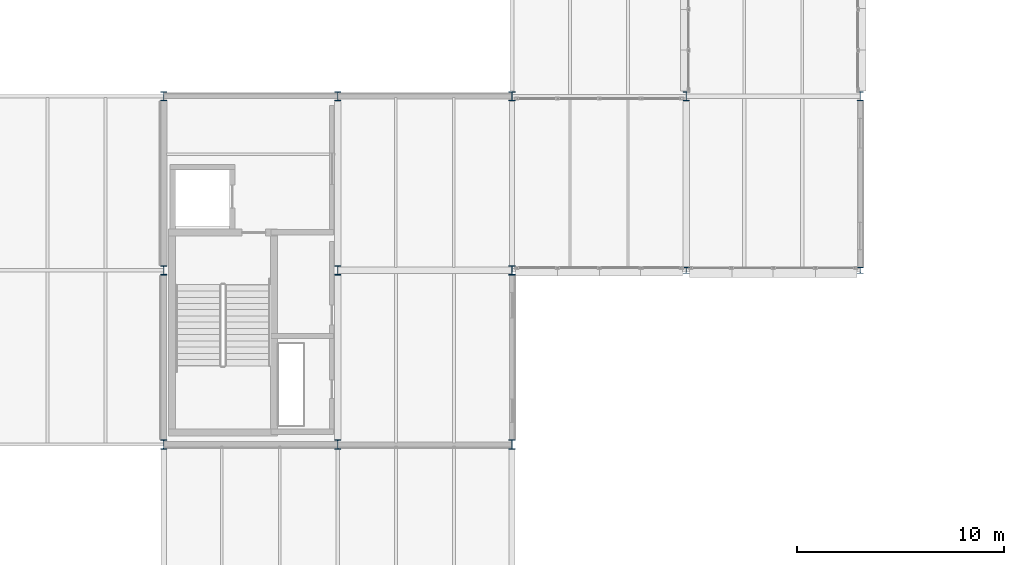
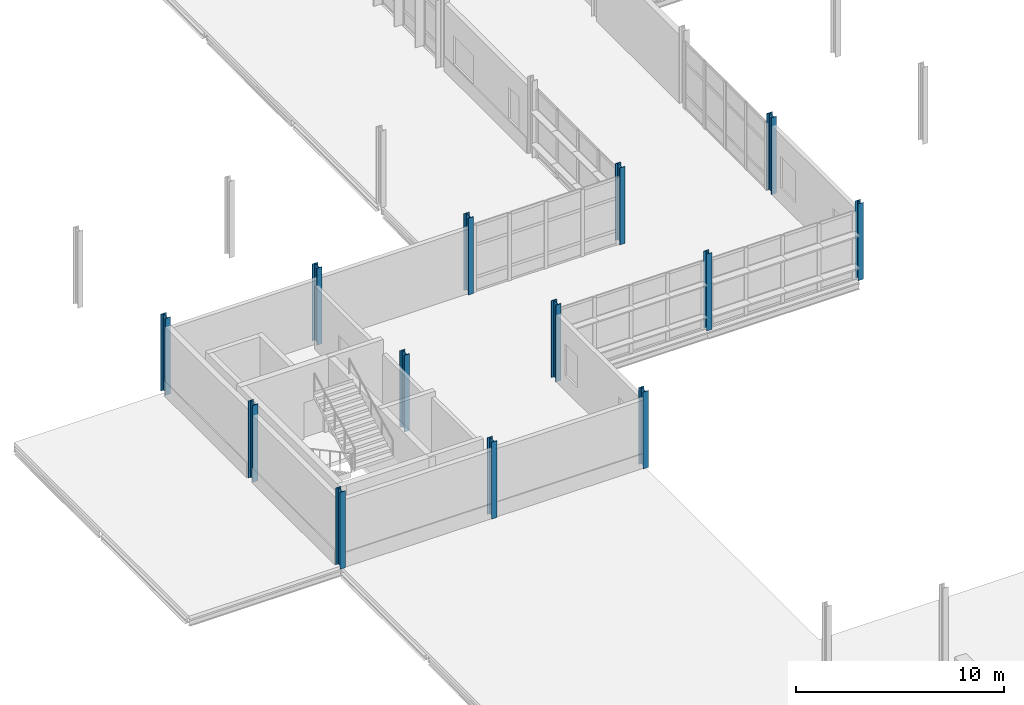
# One storey, part 8 of 129: 13 columns.
"""IFC4 building model written with IfcOpenShell, lengths in metres."""

from ifc_helpers import new_model, si_unit, direction, frame, origin, origin_2d, place, context, subcontext, project, spatial, i_section, extrude, material, material_profile, profile_set, type_object, element, save


model = new_model("IFC4")

# Units and contexts
model_context = context("Model", 3, precision=1e-05, world=origin(), true_north=direction((0.0, 1.0)))
body_context = subcontext(model_context, "Body", "Model", "MODEL_VIEW")
ifc_project = project(units=[si_unit("LENGTHUNIT", "METRE"), si_unit("AREAUNIT", "SQUARE_METRE"), si_unit("VOLUMEUNIT", "CUBIC_METRE"), si_unit("PLANEANGLEUNIT", "RADIAN"), si_unit("MASSUNIT", "GRAM", prefix="KILO")], contexts=[model_context])

# Site, building, storey
site_placement = place(None, origin())
site = spatial("IfcSite", under=ifc_project, at=site_placement, CompositionType="ELEMENT")
building_placement = place(site_placement, origin())
building = spatial("IfcBuilding", under=site, at=building_placement, Name="Mersafa Astral City Hall", CompositionType="ELEMENT")
storey_placement = place(building_placement, frame((0.0, 0.0, 5.39990234375)))
storey = spatial("IfcBuildingStorey", under=building, at=storey_placement, Name="L01", CompositionType="ELEMENT", Elevation=5.39990234375)

# Columns
ifc_material = material(Name="Steel S355", Category="steel")
ifc_material_profile_1 = material_profile(ifc_material, i_section(OverallWidth=0.300048828125, OverallDepth=0.300048828125, WebThickness=0.010986328125, FlangeThickness=0.01904296875, FilletRadius=0.027099609375, at=origin_2d()), Name="HEB 300")
ifc_profile_set_1 = profile_set([ifc_material_profile_1], Name="Steel S355")
column_type_1 = type_object("IfcColumnType", Name="STR-COL-HEB300", PredefinedType="COLUMN", material=ifc_profile_set_1)
for number, where, z_axis, x_axis, name in (
    (1, (33.60009765625, 84.0, 0.0), (0.0, 0.0, 1.0), (1.0, 0.0, 0.0), "L01 Structural column G-04-10"),
    (2, (42.0, 84.0, 0.0), (0.0, 0.0, 1.0), (1.0, 0.0, 0.0), "L01 Structural column G-05-10"),
):
    element("IfcColumn", number, at=place(storey_placement, frame(where, z_axis=z_axis, x_axis=x_axis)), inside=storey, type_object=column_type_1, Name=name, PredefinedType="COLUMN", context=body_context, shape_type="SweptSolid", body=[
        extrude(i_section(OverallWidth=0.300048828125, OverallDepth=0.300048828125, WebThickness=0.010986328125, FlangeThickness=0.01904296875, FilletRadius=0.027099609375, at=origin_2d()), origin(), (0.0, 0.0, 1.0), 4.5),
    ])
ifc_material_profile_2 = material_profile(ifc_material, i_section(OverallWidth=0.300048828125, OverallDepth=0.449951171875, WebThickness=0.013916015625, FlangeThickness=0.02587890625, FilletRadius=0.027099609375, at=origin_2d()), Name="HEB 450")
ifc_profile_set_2 = profile_set([ifc_material_profile_2], Name="Steel S355")
column_type_2 = type_object("IfcColumnType", Name="STR-COL-HEB450", PredefinedType="COLUMN", material=ifc_profile_set_2)
for number, where, z_axis, x_axis, name in (
    (3, (8.39990234375, 75.60009765625, 0.0), (0.0, 0.0, 1.0), (1.0, 0.0, 0.0), "L01 Structural column G-01-09"),
    (4, (8.39990234375, 84.0, 0.0), (0.0, 0.0, 1.0), (1.0, 0.0, 0.0), "L01 Structural column G-01-10"),
    (5, (8.39990234375, 92.39990234375, 0.0), (0.0, 0.0, 1.0), (1.0, 0.0, 0.0), "L01 Structural column G-01-11"),
    (6, (16.800048828125, 75.60009765625, 0.0), (0.0, 0.0, 1.0), (1.0, 0.0, 0.0), "L01 Structural column G-02-09"),
    (7, (16.800048828125, 84.0, 0.0), (0.0, 0.0, 1.0), (1.0, 0.0, 0.0), "L01 Structural column G-02-10"),
    (8, (16.800048828125, 92.39990234375, 0.0), (0.0, 0.0, 1.0), (1.0, 0.0, 0.0), "L01 Structural column G-02-11"),
    (9, (25.199951171875, 75.60009765625, 0.0), (0.0, 0.0, 1.0), (1.0, 0.0, 0.0), "L01 Structural column G-03-09"),
    (10, (25.199951171875, 84.0, 0.0), (0.0, 0.0, 1.0), (1.0, 0.0, 0.0), "L01 Structural column G-03-10"),
    (11, (25.199951171875, 92.39990234375, 0.0), (0.0, 0.0, 1.0), (1.0, 0.0, 0.0), "L01 Structural column G-03-11"),
    (12, (33.60009765625, 92.39990234375, 0.0), (0.0, 0.0, 1.0), (1.0, 0.0, 0.0), "L01 Structural column G-04-11"),
    (13, (42.0, 92.39990234375, 0.0), (0.0, 0.0, 1.0), (1.0, 0.0, 0.0), "L01 Structural column G-05-11"),
):
    element("IfcColumn", number, at=place(storey_placement, frame(where, z_axis=z_axis, x_axis=x_axis)), inside=storey, type_object=column_type_2, Name=name, PredefinedType="COLUMN", context=body_context, shape_type="SweptSolid", body=[
        extrude(i_section(OverallWidth=0.300048828125, OverallDepth=0.449951171875, WebThickness=0.013916015625, FlangeThickness=0.02587890625, FilletRadius=0.027099609375, at=origin_2d()), origin(), (0.0, 0.0, 1.0), 4.5),
    ])

save(model, "model.ifc")
